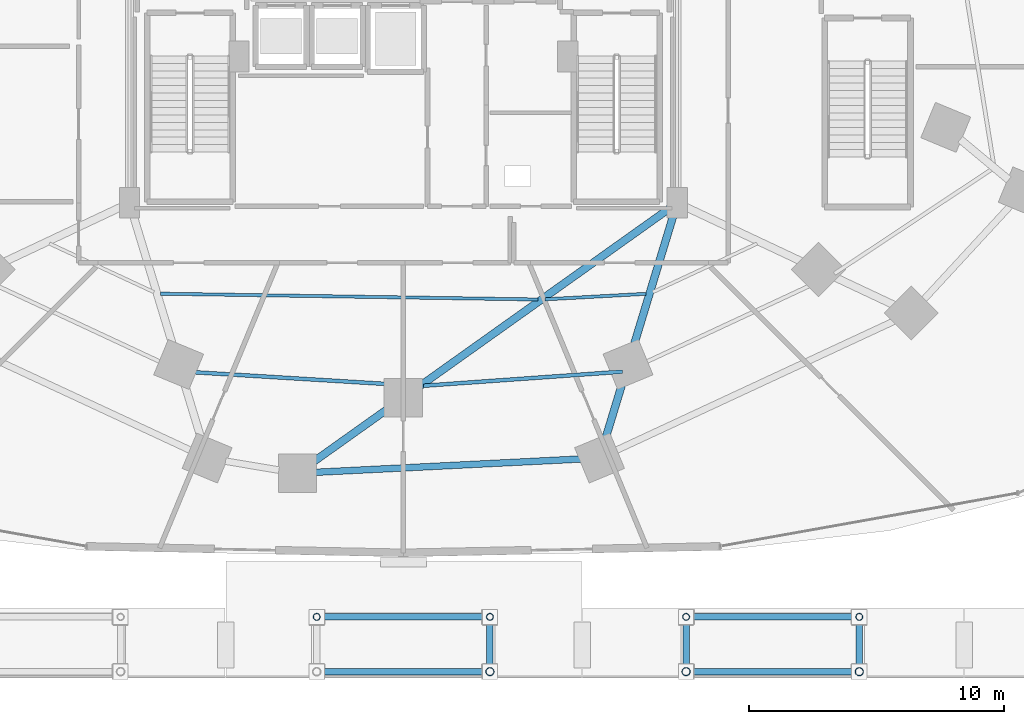
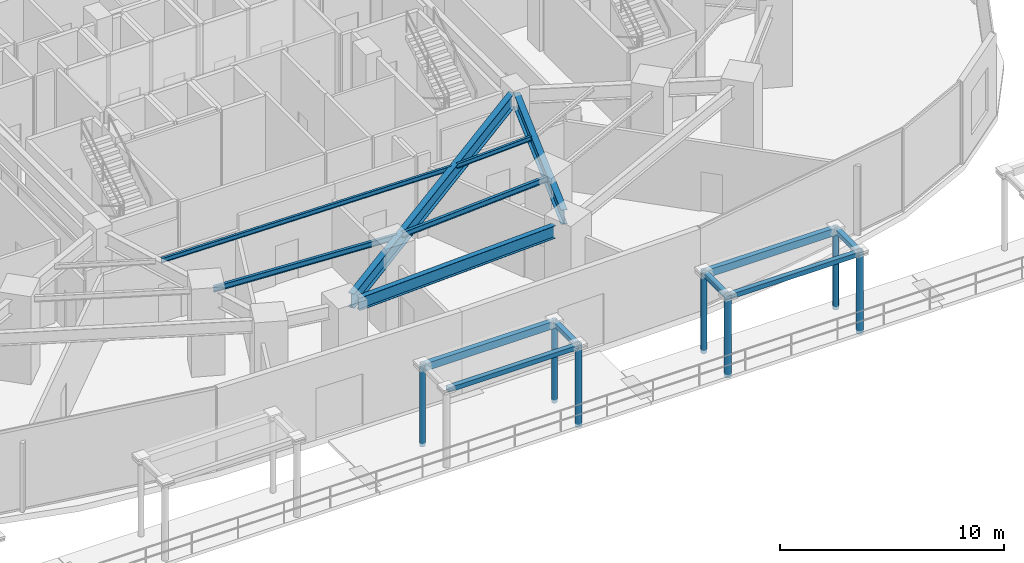
# One storey, part 10 of 36: 14 members, 7 beams.
"""IFC4 building model written with IfcOpenShell, lengths in metres."""

from ifc_helpers import new_model, si_unit, direction, frame, origin, origin_2d, place, context, subcontext, project, spatial, hollow_rectangle, hollow_circle, i_section, extrude, material, material_profile, profile_set, type_object, element, save


model = new_model("IFC4")

# Units and contexts
model_context = context("Model", 3, precision=1e-05, world=origin(), true_north=direction((0.0, 1.0)))
body_context = subcontext(model_context, "Body", "Model", "MODEL_VIEW")
ifc_project = project(units=[si_unit("LENGTHUNIT", "METRE"), si_unit("AREAUNIT", "SQUARE_METRE"), si_unit("VOLUMEUNIT", "CUBIC_METRE"), si_unit("PLANEANGLEUNIT", "RADIAN"), si_unit("MASSUNIT", "GRAM", prefix="KILO")], contexts=[model_context])

# Site, building, storey
site_placement = place(None, origin())
site = spatial("IfcSite", under=ifc_project, at=site_placement, CompositionType="ELEMENT")
building_placement = place(site_placement, origin())
building = spatial("IfcBuilding", under=site, at=building_placement, Name="Vorneva Point Tower", CompositionType="ELEMENT")
storey_placement = place(building_placement, origin())
storey = spatial("IfcBuildingStorey", under=building, at=storey_placement, Name="L00", CompositionType="ELEMENT", Elevation=0.0)

# Beams
ifc_material_1 = material(Name="Steel S355", Category="steel")
ifc_material_profile_1 = material_profile(ifc_material_1, i_section(OverallWidth=0.300048828125, OverallDepth=0.7880859375, WebThickness=0.014404296875, FlangeThickness=0.02197265625, at=origin_2d()), Name="80Sh1")
ifc_profile_set_1 = profile_set([ifc_material_profile_1], Name="Steel S355")
beam_type_1 = type_object("IfcBeamType", Name="BM-GRD-80Sh1", PredefinedType="USERDEFINED", material=ifc_profile_set_1)
beam_1_placement = place(storey_placement, frame((34.441650390625, 6.267822265625, 4.0859375), z_axis=(0.814754265282, 0.579806422184, 0.0), x_axis=(-0.579806422184, 0.814754265282, 0.0)))
element("IfcBeam", 1, at=beam_1_placement, inside=storey, type_object=beam_type_1, Name="L00 Radial Primary Girder 13", ObjectType="GIRDER", PredefinedType="USERDEFINED", context=body_context, shape_type="SweptSolid", body=[
    extrude(i_section(OverallWidth=0.300048828125, OverallDepth=0.7880859375, WebThickness=0.014404296875, FlangeThickness=0.02197265625, at=origin_2d()), origin(), (0.0, 0.0, 1.0), 17.221435546875),
])
beam_2_placement = place(storey_placement, frame((45.91796875, 7.14111328125, 4.0859375), z_axis=(0.291040566437, 0.956710713167, 0.0), x_axis=(-0.956710713167, 0.291040566437, 0.0)))
element("IfcBeam", 2, at=beam_2_placement, inside=storey, type_object=beam_type_1, Name="L00 Radial Primary Girder 14", ObjectType="GIRDER", PredefinedType="USERDEFINED", context=body_context, shape_type="SweptSolid", body=[
    extrude(i_section(OverallWidth=0.300048828125, OverallDepth=0.7880859375, WebThickness=0.014404296875, FlangeThickness=0.02197265625, at=origin_2d()), origin(), (0.0, 0.0, 1.0), 9.39013671875),
])
ifc_material_profile_2 = material_profile(ifc_material_1, i_section(OverallWidth=0.1240234375, OverallDepth=0.248046875, WebThickness=0.0048828125, FlangeThickness=0.008056640625, at=origin_2d()), Name="25B1")
ifc_profile_set_2 = profile_set([ifc_material_profile_2], Name="Steel S355")
beam_type_2 = type_object("IfcBeamType", Name="BM-JST-25B1", PredefinedType="JOIST", material=ifc_profile_set_2)
beam_3_placement = place(storey_placement, frame((28.470947265625, 12.888427734375, 4.35595703125), z_axis=(0.999881533478, -0.015392173657, 0.0), x_axis=(0.015392173657, 0.999881533478, 0.0)))
element("IfcBeam", 3, at=beam_3_placement, inside=storey, type_object=beam_type_2, Name="L00 Secondary Floor Beam 2.12", PredefinedType="JOIST", context=body_context, shape_type="SweptSolid", body=[
    extrude(i_section(OverallWidth=0.1240234375, OverallDepth=0.248046875, WebThickness=0.0048828125, FlangeThickness=0.008056640625, at=origin_2d()), origin(), (0.0, 0.0, 1.0), 14.814453125),
])
beam_4_placement = place(storey_placement, frame((43.5595703125, 12.665771484375, 4.35595703125), z_axis=(0.998505367508, 0.054653737828, 0.0), x_axis=(-0.054653737828, 0.998505367508, 0.0)))
element("IfcBeam", 4, at=beam_4_placement, inside=storey, type_object=beam_type_2, Name="L00 Secondary Floor Beam 2.13", PredefinedType="JOIST", context=body_context, shape_type="SweptSolid", body=[
    extrude(i_section(OverallWidth=0.1240234375, OverallDepth=0.248046875, WebThickness=0.0048828125, FlangeThickness=0.008056640625, at=origin_2d()), origin(), (0.0, 0.0, 1.0), 3.9755859375),
])
ifc_material_profile_3 = material_profile(ifc_material_1, i_section(OverallWidth=0.14892578125, OverallDepth=0.298095703125, WebThickness=0.005615234375, FlangeThickness=0.008056640625, at=origin_2d()), Name="30B1")
ifc_profile_set_3 = profile_set([ifc_material_profile_3], Name="Steel S355")
beam_type_3 = type_object("IfcBeamType", Name="BM-JST-30B1", PredefinedType="JOIST", material=ifc_profile_set_3)
beam_5_placement = place(storey_placement, frame((29.39990234375, 9.827880859375, 4.3310546875), z_axis=(0.998143063713, -0.060913252763, 0.0), x_axis=(0.060913252763, 0.998143063713, 0.0)))
element("IfcBeam", 5, at=beam_5_placement, inside=storey, type_object=beam_type_3, Name="L00 Secondary Floor Beam 1.12", PredefinedType="JOIST", context=body_context, shape_type="SweptSolid", body=[
    extrude(i_section(OverallWidth=0.14892578125, OverallDepth=0.298095703125, WebThickness=0.005615234375, FlangeThickness=0.008056640625, at=origin_2d()), origin(), (0.0, 0.0, 1.0), 9.130126953125),
])
beam_6_placement = place(storey_placement, frame((38.788818359375, 9.273193359375, 4.3310546875), z_axis=(0.997501406982, 0.070646606914, 0.0), x_axis=(-0.070646606914, 0.997501406982, 0.0)))
element("IfcBeam", 6, at=beam_6_placement, inside=storey, type_object=beam_type_3, Name="L00 Secondary Floor Beam 1.13", PredefinedType="JOIST", context=body_context, shape_type="SweptSolid", body=[
    extrude(i_section(OverallWidth=0.14892578125, OverallDepth=0.298095703125, WebThickness=0.005615234375, FlangeThickness=0.008056640625, at=origin_2d()), origin(), (0.0, 0.0, 1.0), 7.830810546875),
])
ifc_material_profile_4 = material_profile(ifc_material_1, i_section(OverallWidth=0.260009765625, OverallDepth=0.69091796875, WebThickness=0.011962890625, FlangeThickness=0.015380859375, at=origin_2d()), Name="70B1")
ifc_profile_set_4 = profile_set([ifc_material_profile_4], Name="Steel S355")
beam_type_4 = type_object("IfcBeamType", Name="BM-SPN-70B1", PredefinedType="SPANDREL", material=ifc_profile_set_4)
beam_7_placement = place(storey_placement, frame((34.574462890625, 5.876708984375, 4.134521484375), z_axis=(0.9987427267, 0.050129490956, 0.0), x_axis=(-0.050129490956, 0.9987427267, 0.0)))
element("IfcBeam", 7, at=beam_7_placement, inside=storey, type_object=beam_type_4, Name="L00 Perimeter Spandrel Ring Beam 13", PredefinedType="SPANDREL", context=body_context, shape_type="SweptSolid", body=[
    extrude(i_section(OverallWidth=0.260009765625, OverallDepth=0.69091796875, WebThickness=0.011962890625, FlangeThickness=0.015380859375, at=origin_2d()), origin(), (0.0, 0.0, 1.0), 10.40771484375),
])

# Members
ifc_material_profile_5 = material_profile(ifc_material_1, hollow_circle(Radius=0.136474609375, WallThickness=0.011962890625, at=origin_2d()), Name="CHS 273x12")
ifc_profile_set_5 = profile_set([ifc_material_profile_5], Name="Steel S355")
member_type_1 = type_object("IfcMemberType", Name="MBR-CAN-CHS273", PredefinedType="STRUT", material=ifc_profile_set_5)
for number, where, z_axis, x_axis, name in (
    (8, (41.39990234375, 0.199951171875, -0.179931640625), (0.0, 0.0, 1.0), (1.0, 0.0, 0.0), "Waterfront Promenade Canopy CAN-03 Post 3"),
    (9, (34.60009765625, 0.199951171875, -0.179931640625), (0.0, 0.0, 1.0), (1.0, 0.0, 0.0), "Waterfront Promenade Canopy CAN-03 Post 4"),
    (10, (55.89990234375, 0.199951171875, -0.179931640625), (0.0, 0.0, 1.0), (1.0, 0.0, 0.0), "Waterfront Promenade Canopy CAN-04 Post 3"),
    (11, (49.10009765625, 0.199951171875, -0.179931640625), (0.0, 0.0, 1.0), (1.0, 0.0, 0.0), "Waterfront Promenade Canopy CAN-04 Post 4"),
):
    element("IfcMember", number, at=place(storey_placement, frame(where, z_axis=z_axis, x_axis=x_axis)), inside=storey, type_object=member_type_1, Name=name, PredefinedType="STRUT", context=body_context, shape_type="SweptSolid", body=[
        extrude(hollow_circle(Radius=0.136474609375, WallThickness=0.011962890625, at=origin_2d()), origin(), (0.0, 0.0, 1.0), 4.489990234375),
    ])
ifc_material_profile_6 = material_profile(ifc_material_1, hollow_circle(Radius=0.16259765625, WallThickness=0.013916015625, at=origin_2d()), Name="CHS 325x14")
ifc_profile_set_6 = profile_set([ifc_material_profile_6], Name="Steel S355")
member_type_2 = type_object("IfcMemberType", Name="MBR-CAN-CHS325", PredefinedType="BRACE", material=ifc_profile_set_6)
for number, where, z_axis, x_axis, name in (
    (12, (41.39990234375, -1.949951171875, -0.179931640625), (0.0, 0.0, 1.0), (1.0, 0.0, 0.0), "Waterfront Promenade Canopy CAN-03 Post 2"),
    (13, (49.10009765625, -1.949951171875, -0.179931640625), (0.0, 0.0, 1.0), (1.0, 0.0, 0.0), "Waterfront Promenade Canopy CAN-04 Post 1"),
    (14, (55.89990234375, -1.949951171875, -0.179931640625), (0.0, 0.0, 1.0), (1.0, 0.0, 0.0), "Waterfront Promenade Canopy CAN-04 Post 2"),
):
    element("IfcMember", number, at=place(storey_placement, frame(where, z_axis=z_axis, x_axis=x_axis)), inside=storey, type_object=member_type_2, Name=name, PredefinedType="BRACE", context=body_context, shape_type="SweptSolid", body=[
        extrude(hollow_circle(Radius=0.16259765625, WallThickness=0.013916015625, at=origin_2d()), origin(), (0.0, 0.0, 1.0), 4.489990234375),
    ])
ifc_material_profile_7 = material_profile(ifc_material_1, hollow_rectangle(XDim=0.25, YDim=0.25, WallThickness=0.011962890625, at=origin_2d()), Name="PK 250x250x12")
ifc_profile_set_7 = profile_set([ifc_material_profile_7], Name="Steel S355")
member_type_3 = type_object("IfcMemberType", Name="MBR-STR-PK250", PredefinedType="STRUT", material=ifc_profile_set_7)
member_1_placement = place(storey_placement, frame((34.659912109375, -1.949951171875, 4.179931640625), z_axis=(1.0, 0.0, 0.0), x_axis=(0.0, 1.0, 0.0)))
element("IfcMember", 15, at=member_1_placement, inside=storey, type_object=member_type_3, Name="Waterfront Promenade Canopy CAN-03 Tie 1", PredefinedType="STRUT", context=body_context, shape_type="SweptSolid", body=[
    extrude(hollow_rectangle(XDim=0.25, YDim=0.25, WallThickness=0.011962890625, at=origin_2d()), origin(), (0.0, 0.0, 1.0), 6.68017578125),
])
member_2_placement = place(storey_placement, frame((41.39990234375, -1.889892578125, 4.179931640625), z_axis=(0.0, 1.0, 0.0), x_axis=(-1.0, 0.0, 0.0)))
element("IfcMember", 16, at=member_2_placement, inside=storey, type_object=member_type_3, Name="Waterfront Promenade Canopy CAN-03 Tie 3", PredefinedType="STRUT", context=body_context, shape_type="SweptSolid", body=[
    extrude(hollow_rectangle(XDim=0.25, YDim=0.25, WallThickness=0.011962890625, at=origin_2d()), origin(), (0.0, 0.0, 1.0), 2.02978515625),
])
member_3_placement = place(storey_placement, frame((49.159912109375, -1.949951171875, 4.179931640625), z_axis=(1.0, 0.0, 0.0), x_axis=(0.0, 1.0, 0.0)))
element("IfcMember", 17, at=member_3_placement, inside=storey, type_object=member_type_3, Name="Waterfront Promenade Canopy CAN-04 Tie 1", PredefinedType="STRUT", context=body_context, shape_type="SweptSolid", body=[
    extrude(hollow_rectangle(XDim=0.25, YDim=0.25, WallThickness=0.011962890625, at=origin_2d()), origin(), (0.0, 0.0, 1.0), 6.68017578125),
])
for number, where, z_axis, x_axis, name in (
    (18, (55.89990234375, -1.889892578125, 4.179931640625), (0.0, 1.0, 0.0), (-1.0, 0.0, 0.0), "Waterfront Promenade Canopy CAN-04 Tie 3"),
    (19, (49.10009765625, 0.139892578125, 4.179931640625), (0.0, -1.0, 0.0), (1.0, 0.0, 0.0), "Waterfront Promenade Canopy CAN-04 Tie 4"),
):
    element("IfcMember", number, at=place(storey_placement, frame(where, z_axis=z_axis, x_axis=x_axis)), inside=storey, type_object=member_type_3, Name=name, PredefinedType="STRUT", context=body_context, shape_type="SweptSolid", body=[
        extrude(hollow_rectangle(XDim=0.25, YDim=0.25, WallThickness=0.011962890625, at=origin_2d()), origin(), (0.0, 0.0, 1.0), 2.02978515625),
    ])
ifc_material_2 = material(Name="Steel S460", Category="steel")
ifc_material_profile_8 = material_profile(ifc_material_2, hollow_rectangle(XDim=0.25, YDim=0.39990234375, WallThickness=0.013916015625, at=origin_2d()), Name="PP 400x250x14")
ifc_profile_set_8 = profile_set([ifc_material_profile_8], Name="Steel S460")
member_type_4 = type_object("IfcMemberType", Name="MBR-STR-PP400", PredefinedType="STRUT", material=ifc_profile_set_8)
for number, where, z_axis, x_axis, name in (
    (20, (41.340087890625, 0.199951171875, 4.10498046875), (-1.0, 0.0, 0.0), (0.0, -1.0, 0.0), "Waterfront Promenade Canopy CAN-03 Tie 2"),
    (21, (55.840087890625, 0.199951171875, 4.10498046875), (-1.0, 0.0, 0.0), (0.0, -1.0, 0.0), "Waterfront Promenade Canopy CAN-04 Tie 2"),
):
    element("IfcMember", number, at=place(storey_placement, frame(where, z_axis=z_axis, x_axis=x_axis)), inside=storey, type_object=member_type_4, Name=name, PredefinedType="STRUT", context=body_context, shape_type="SweptSolid", body=[
        extrude(hollow_rectangle(XDim=0.25, YDim=0.39990234375, WallThickness=0.013916015625, at=origin_2d()), origin(), (0.0, 0.0, 1.0), 6.68017578125),
    ])

save(model, "model.ifc")
